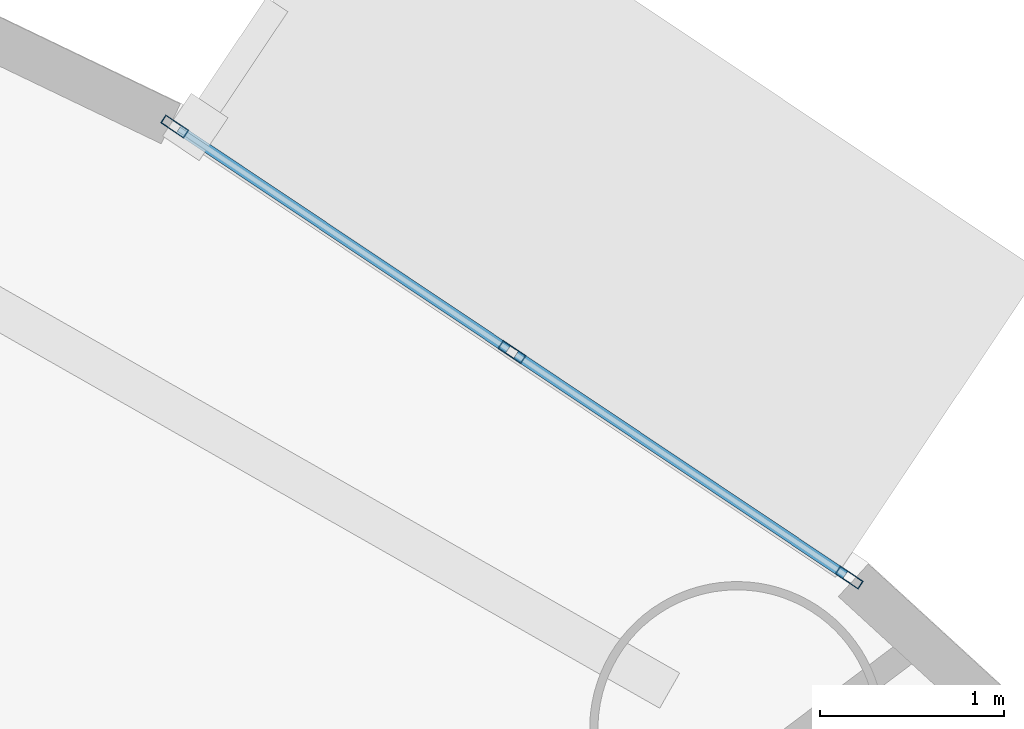
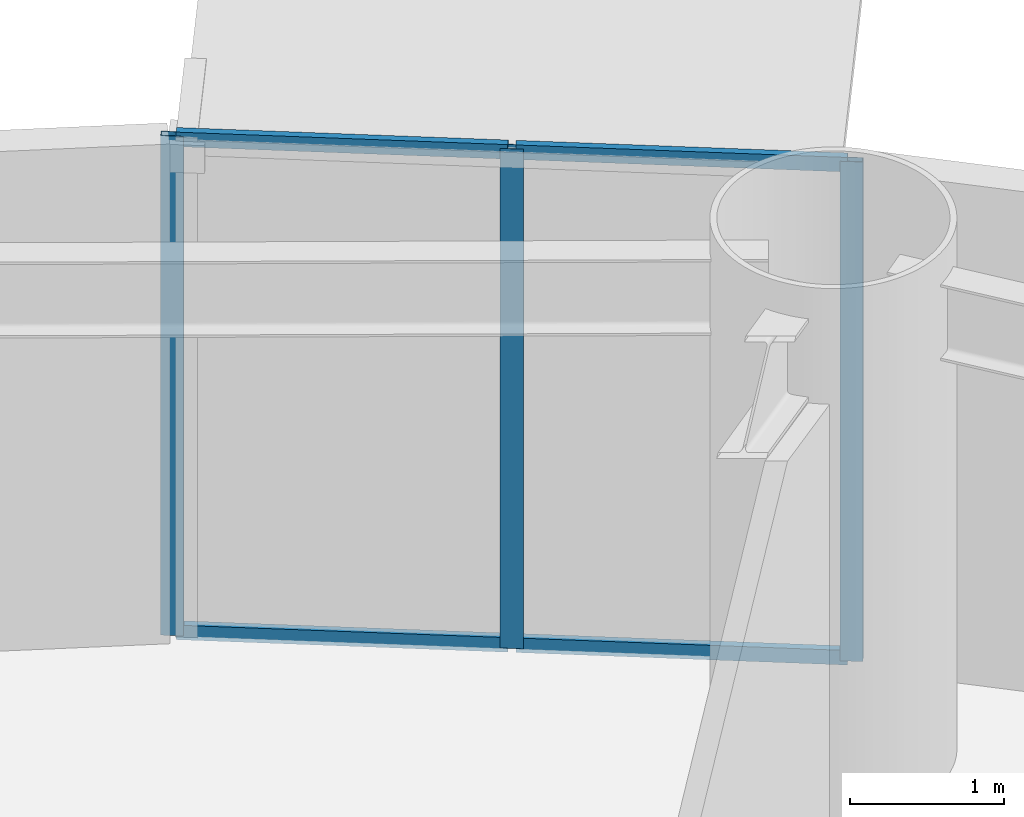
# One storey, part 5 of 24: 7 members, 1 element without a shape of its own.
"""IFC4 building model written with IfcOpenShell, lengths in metres."""

from ifc_helpers import new_model, si_unit, direction, frame, origin, origin_2d, place, context, subcontext, project, spatial, hollow_rectangle, extrude, source, transform, mapped, material, layer, layer_set, material_profile, profile_set, type_object, element, aggregate, save


model = new_model("IFC4")

# Units and contexts
model_context = context("Model", 3, precision=1e-05, world=origin(), true_north=direction((0.0, 1.0)))
body_context = subcontext(model_context, "Body", "Model", "MODEL_VIEW")
ifc_project = project(units=[si_unit("LENGTHUNIT", "METRE"), si_unit("AREAUNIT", "SQUARE_METRE"), si_unit("VOLUMEUNIT", "CUBIC_METRE"), si_unit("PLANEANGLEUNIT", "RADIAN"), si_unit("MASSUNIT", "GRAM", prefix="KILO")], contexts=[model_context])

# Site, building, storey
site_placement = place(None, origin())
site = spatial("IfcSite", under=ifc_project, at=site_placement, CompositionType="ELEMENT")
building_placement = place(site_placement, origin())
building = spatial("IfcBuilding", under=site, at=building_placement, Name="Linh Dai School and Residence Tower", CompositionType="ELEMENT")
storey_placement = place(building_placement, frame((0.0, 0.0, 70.199951171875)))
storey = spatial("IfcBuildingStorey", under=building, at=storey_placement, Name="L16", CompositionType="ELEMENT", Elevation=70.199951171875)

# Curtain wall, members
ifc_material_1 = material(Name="Aluminium Anodised Curtain Wall", Category="aluminium")
ifc_layer = layer(ifc_material_1, 0.14990234375)
ifc_layer_set = layer_set([ifc_layer], Name="Aluminium Anodised Curtain Wall")
curtain_wall_type = type_object("IfcCurtainWallType", Name="CW-SYS-4", PredefinedType="USERDEFINED", material=ifc_layer_set)
curtain_wall_placement = place(storey_placement, origin())
curtain_wall = element("IfcCurtainWall", 1, at=curtain_wall_placement, inside=storey, type_object=curtain_wall_type, Name="L16 CW4 Curtain Wall 06", ObjectType="RIBBON CURTAIN WALL", PredefinedType="USERDEFINED")
ifc_material_2 = material(Name="Aluminium Alloy 6063-T6", Category="aluminium")
ifc_material_profile_1 = material_profile(ifc_material_2, hollow_rectangle(XDim=0.052001953125, YDim=0.14990234375, WallThickness=0.00390625, at=origin_2d()), Name="RHS 150x52x4")
ifc_profile_set_1 = profile_set([ifc_material_profile_1], Name="Aluminium Alloy 6063-T6")
member_type_1 = type_object("IfcMemberType", Name="CW-SYS-4-MUL", PredefinedType="MULLION", material=ifc_profile_set_1)
shared_shape_1 = source(origin(), body_context, "Body", "SweptSolid", [
    extrude(hollow_rectangle(XDim=0.052001953125, YDim=0.14990234375, WallThickness=0.00390625, at=origin_2d()), origin(), (0.0, 0.0, 1.0), 3.949951171875),
])
member_1_placement = place(storey_placement, frame((54.298583984375, 46.64111328125, 0.0), z_axis=(0.0, 0.0, 1.0), x_axis=(0.555897899828, 0.831250578927, 0.0)))
member_1 = element("IfcMember", 2, at=member_1_placement, type_object=member_type_1, Name="CW4 mullion 1", PredefinedType="MULLION", context=body_context, shape_type="MappedRepresentation", body=[
    mapped(shared_shape_1, transform((0.0, 0.0, 0.0), x_axis=(1.0, 0.0, 0.0), y_axis=(0.0, 1.0, 0.0), z_axis=(0.0, 0.0, 1.0), scale=1.0)),
])
member_2_placement = place(storey_placement, frame((56.130859375, 45.416015625, 0.0), z_axis=(0.0, 0.0, 1.0), x_axis=(0.555897899828, 0.831250578927, 0.0)))
member_2 = element("IfcMember", 3, at=member_2_placement, type_object=member_type_1, Name="CW4 mullion 2", PredefinedType="MULLION", context=body_context, shape_type="MappedRepresentation", body=[
    mapped(shared_shape_1, transform((0.0, 0.0, 0.0), x_axis=(1.0, 0.0, 0.0), y_axis=(0.0, 1.0, 0.0), z_axis=(0.0, 0.0, 1.0), scale=1.0)),
])
member_3_placement = place(storey_placement, frame((57.963134765625, 44.190673828125, 0.0), z_axis=(0.0, 0.0, 1.0), x_axis=(0.555897899828, 0.831250578927, 0.0)))
member_3 = element("IfcMember", 4, at=member_3_placement, type_object=member_type_1, Name="CW4 mullion 3", PredefinedType="MULLION", context=body_context, shape_type="MappedRepresentation", body=[
    mapped(shared_shape_1, transform((0.0, 0.0, 0.0), x_axis=(1.0, 0.0, 0.0), y_axis=(0.0, 1.0, 0.0), z_axis=(0.0, 0.0, 1.0), scale=1.0)),
])
ifc_material_profile_2 = material_profile(ifc_material_2, hollow_rectangle(XDim=0.052001953125, YDim=0.114990234375, WallThickness=0.00390625, at=origin_2d()), Name="RHS 115x52x4")
ifc_profile_set_2 = profile_set([ifc_material_profile_2], Name="Aluminium Alloy 6063-T6")
member_type_2 = type_object("IfcMemberType", Name="CW-SYS-4-TRN", PredefinedType="USERDEFINED", material=ifc_profile_set_2)
shared_shape_2 = source(origin(), body_context, "Body", "SweptSolid", [
    extrude(hollow_rectangle(XDim=0.052001953125, YDim=0.114990234375, WallThickness=0.00390625, at=origin_2d()), origin(), (0.0, 0.0, 1.0), 2.152099609375),
])
member_4_placement = place(storey_placement, frame((54.3203125, 46.626708984375, 0.026123046875), z_axis=(0.831281601732, -0.555851507708, 0.0), x_axis=(0.555851507708, 0.831281601732, 0.0)))
member_4 = element("IfcMember", 5, at=member_4_placement, type_object=member_type_2, Name="CW4 transom 1.1", ObjectType="TRANSOM", PredefinedType="USERDEFINED", context=body_context, shape_type="MappedRepresentation", body=[
    mapped(shared_shape_2, transform((0.0, 0.0, 0.0), x_axis=(1.0, 0.0, 0.0), y_axis=(0.0, 1.0, 0.0), z_axis=(0.0, 0.0, 1.0), scale=1.0)),
])
member_5_placement = place(storey_placement, frame((54.3203125, 46.626708984375, 3.924072265625), z_axis=(0.831281601732, -0.555851507708, 0.0), x_axis=(0.555851507708, 0.831281601732, 0.0)))
member_5 = element("IfcMember", 6, at=member_5_placement, type_object=member_type_2, Name="CW4 transom 1.2", ObjectType="TRANSOM", PredefinedType="USERDEFINED", context=body_context, shape_type="MappedRepresentation", body=[
    mapped(shared_shape_2, transform((0.0, 0.0, 0.0), x_axis=(1.0, 0.0, 0.0), y_axis=(0.0, 1.0, 0.0), z_axis=(0.0, 0.0, 1.0), scale=1.0)),
])
shared_shape_3 = source(origin(), body_context, "Body", "SweptSolid", [
    extrude(hollow_rectangle(XDim=0.052001953125, YDim=0.114990234375, WallThickness=0.00390625, at=origin_2d()), origin(), (0.0, 0.0, 1.0), 2.15185546875),
])
member_6_placement = place(storey_placement, frame((56.152587890625, 45.4013671875, 0.026123046875), z_axis=(0.831246547398, -0.555903928245, 0.0), x_axis=(0.555903928245, 0.831246547398, 0.0)))
member_6 = element("IfcMember", 7, at=member_6_placement, type_object=member_type_2, Name="CW4 transom 2.1", ObjectType="TRANSOM", PredefinedType="USERDEFINED", context=body_context, shape_type="MappedRepresentation", body=[
    mapped(shared_shape_3, transform((0.0, 0.0, 0.0), x_axis=(1.0, 0.0, 0.0), y_axis=(0.0, 1.0, 0.0), z_axis=(0.0, 0.0, 1.0), scale=1.0)),
])
member_7_placement = place(storey_placement, frame((56.152587890625, 45.4013671875, 3.924072265625), z_axis=(0.831246547398, -0.555903928245, 0.0), x_axis=(0.555903928245, 0.831246547398, 0.0)))
member_7 = element("IfcMember", 8, at=member_7_placement, type_object=member_type_2, Name="CW4 transom 2.2", ObjectType="TRANSOM", PredefinedType="USERDEFINED", context=body_context, shape_type="MappedRepresentation", body=[
    mapped(shared_shape_3, transform((0.0, 0.0, 0.0), x_axis=(1.0, 0.0, 0.0), y_axis=(0.0, 1.0, 0.0), z_axis=(0.0, 0.0, 1.0), scale=1.0)),
])
aggregate(curtain_wall, [member_1, member_2, member_3, member_4, member_5, member_6, member_7])

save(model, "model.ifc")
